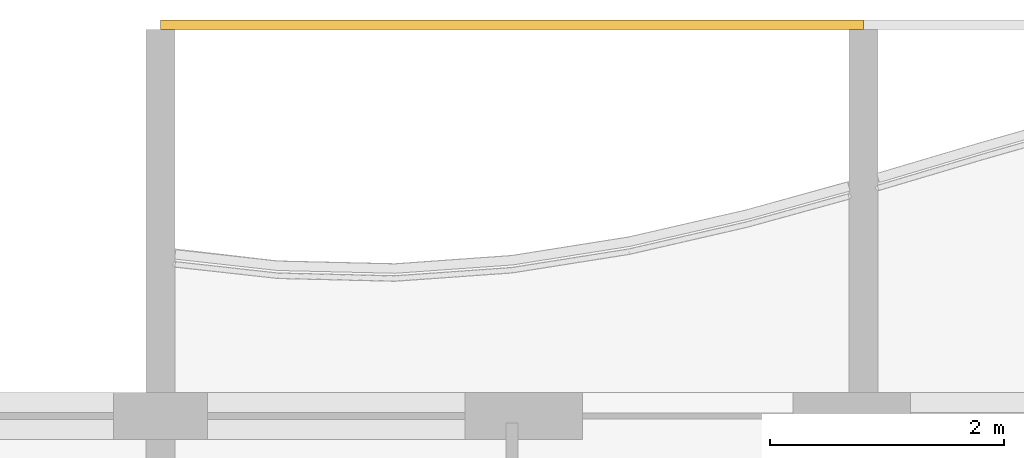
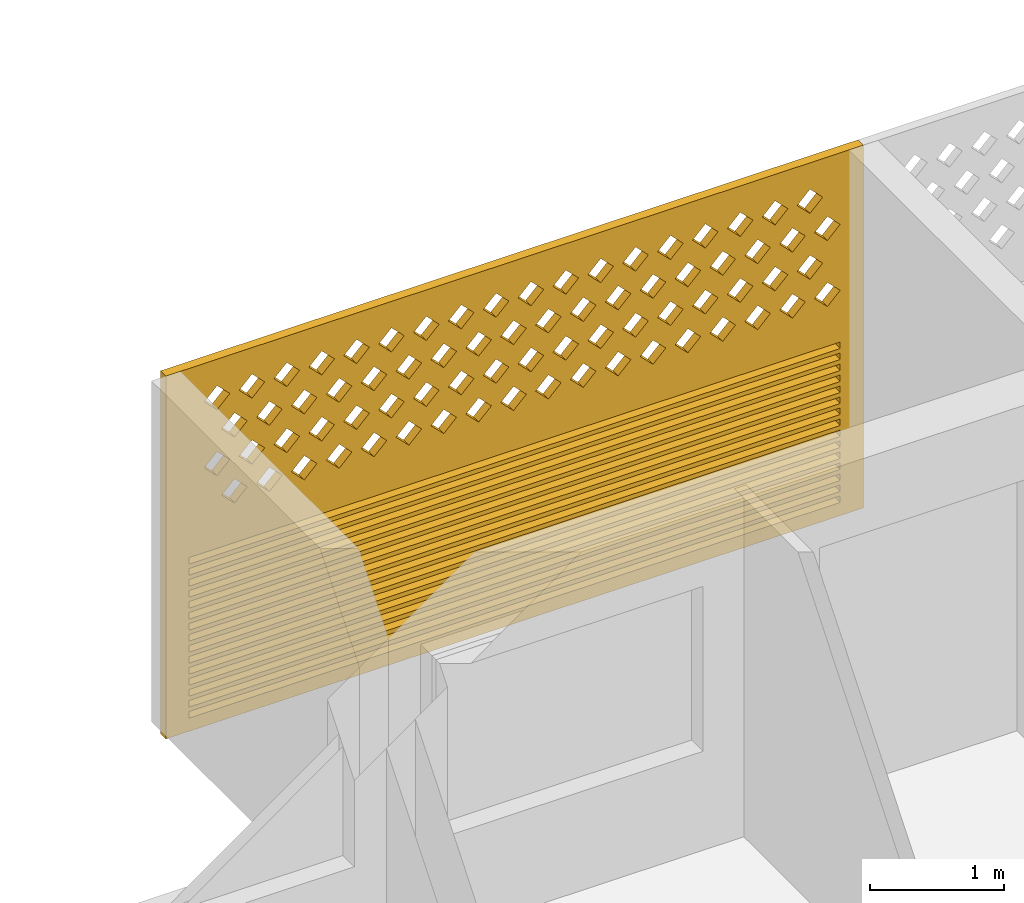
# One storey, part 25 of 29: 1 covering.
"""IFC4 building model written with IfcOpenShell, lengths in metres."""

from ifc_helpers import new_model, si_unit, direction, frame, origin, place, context, subcontext, project, spatial, polyline, outline, extrude, source, transform, mapped, material, material_profile, profile_set, type_object, element, save


model = new_model("IFC4")

# Units and contexts
model_context = context("Model", 3, precision=1e-05, world=origin(), true_north=direction((0.0, 1.0)))
body_context = subcontext(model_context, "Body", "Model", "MODEL_VIEW")
ifc_project = project(units=[si_unit("LENGTHUNIT", "METRE"), si_unit("AREAUNIT", "SQUARE_METRE"), si_unit("VOLUMEUNIT", "CUBIC_METRE"), si_unit("PLANEANGLEUNIT", "RADIAN"), si_unit("MASSUNIT", "GRAM", prefix="KILO")], contexts=[model_context])

# Site, building, storey
site_placement = place(None, origin())
site = spatial("IfcSite", under=ifc_project, at=site_placement, CompositionType="ELEMENT")
building_placement = place(site_placement, origin())
building = spatial("IfcBuilding", under=site, at=building_placement, Name="Poui Terraces", CompositionType="ELEMENT")
storey_placement = place(building_placement, frame((0.0, 0.0, 231.300048828125)))
storey = spatial("IfcBuildingStorey", under=building, at=storey_placement, Name="L64", CompositionType="ELEMENT", Elevation=231.300048828125)

# Covering
ifc_material = material(Name="Terracotta screen", Category="masonry")
ifc_material_profile = material_profile(ifc_material, outline(polyline([(-3.0, -1.64990234375), (3.0, -1.64990234375), (3.0, 1.64990234375), (-3.0, 1.64990234375), (-3.0, -1.64990234375)]), holes=[polyline([(-2.800048828125, 0.39990234375), (-2.68994140625, 0.2900390625), (-2.580078125, 0.39990234375), (-2.68994140625, 0.510009765625), (-2.800048828125, 0.39990234375)]), polyline([(-2.5, 0.39990234375), (-2.389892578125, 0.2900390625), (-2.280029296875, 0.39990234375), (-2.389892578125, 0.510009765625), (-2.5, 0.39990234375)]), polyline([(-2.199951171875, 0.39990234375), (-2.090087890625, 0.2900390625), (-1.97998046875, 0.39990234375), (-2.090087890625, 0.510009765625), (-2.199951171875, 0.39990234375)]), polyline([(-1.89990234375, 0.39990234375), (-1.7900390625, 0.2900390625), (-1.679931640625, 0.39990234375), (-1.7900390625, 0.510009765625), (-1.89990234375, 0.39990234375)]), polyline([(-1.60009765625, 0.39990234375), (-1.489990234375, 0.2900390625), (-1.3798828125, 0.39990234375), (-1.489990234375, 0.510009765625), (-1.60009765625, 0.39990234375)]), polyline([(-1.300048828125, 0.39990234375), (-1.18994140625, 0.2900390625), (-1.080078125, 0.39990234375), (-1.18994140625, 0.510009765625), (-1.300048828125, 0.39990234375)]), polyline([(-1.0, 0.39990234375), (-0.889892578125, 0.2900390625), (-0.780029296875, 0.39990234375), (-0.889892578125, 0.510009765625), (-1.0, 0.39990234375)]), polyline([(-0.699951171875, 0.39990234375), (-0.590087890625, 0.2900390625), (-0.47998046875, 0.39990234375), (-0.590087890625, 0.510009765625), (-0.699951171875, 0.39990234375)]), polyline([(-0.39990234375, 0.39990234375), (-0.2900390625, 0.2900390625), (-0.179931640625, 0.39990234375), (-0.2900390625, 0.510009765625), (-0.39990234375, 0.39990234375)]), polyline([(-0.10009765625, 0.39990234375), (0.010009765625, 0.2900390625), (0.1201171875, 0.39990234375), (0.010009765625, 0.510009765625), (-0.10009765625, 0.39990234375)]), polyline([(0.199951171875, 0.39990234375), (0.31005859375, 0.2900390625), (0.419921875, 0.39990234375), (0.31005859375, 0.510009765625), (0.199951171875, 0.39990234375)]), polyline([(0.5, 0.39990234375), (0.610107421875, 0.2900390625), (0.719970703125, 0.39990234375), (0.610107421875, 0.510009765625), (0.5, 0.39990234375)]), polyline([(0.800048828125, 0.39990234375), (0.909912109375, 0.2900390625), (1.02001953125, 0.39990234375), (0.909912109375, 0.510009765625), (0.800048828125, 0.39990234375)]), polyline([(1.10009765625, 0.39990234375), (1.2099609375, 0.2900390625), (1.320068359375, 0.39990234375), (1.2099609375, 0.510009765625), (1.10009765625, 0.39990234375)]), polyline([(1.39990234375, 0.39990234375), (1.510009765625, 0.2900390625), (1.6201171875, 0.39990234375), (1.510009765625, 0.510009765625), (1.39990234375, 0.39990234375)]), polyline([(1.699951171875, 0.39990234375), (1.81005859375, 0.2900390625), (1.919921875, 0.39990234375), (1.81005859375, 0.510009765625), (1.699951171875, 0.39990234375)]), polyline([(2.0, 0.39990234375), (2.110107421875, 0.2900390625), (2.219970703125, 0.39990234375), (2.110107421875, 0.510009765625), (2.0, 0.39990234375)]), polyline([(2.300048828125, 0.39990234375), (2.409912109375, 0.2900390625), (2.52001953125, 0.39990234375), (2.409912109375, 0.510009765625), (2.300048828125, 0.39990234375)]), polyline([(-2.64990234375, 0.699951171875), (-2.5400390625, 0.590087890625), (-2.429931640625, 0.699951171875), (-2.5400390625, 0.81005859375), (-2.64990234375, 0.699951171875)]), polyline([(-2.35009765625, 0.699951171875), (-2.239990234375, 0.590087890625), (-2.1298828125, 0.699951171875), (-2.239990234375, 0.81005859375), (-2.35009765625, 0.699951171875)]), polyline([(-2.050048828125, 0.699951171875), (-1.93994140625, 0.590087890625), (-1.830078125, 0.699951171875), (-1.93994140625, 0.81005859375), (-2.050048828125, 0.699951171875)]), polyline([(-1.75, 0.699951171875), (-1.639892578125, 0.590087890625), (-1.530029296875, 0.699951171875), (-1.639892578125, 0.81005859375), (-1.75, 0.699951171875)]), polyline([(-1.449951171875, 0.699951171875), (-1.340087890625, 0.590087890625), (-1.22998046875, 0.699951171875), (-1.340087890625, 0.81005859375), (-1.449951171875, 0.699951171875)]), polyline([(-1.14990234375, 0.699951171875), (-1.0400390625, 0.590087890625), (-0.929931640625, 0.699951171875), (-1.0400390625, 0.81005859375), (-1.14990234375, 0.699951171875)]), polyline([(-0.85009765625, 0.699951171875), (-0.739990234375, 0.590087890625), (-0.6298828125, 0.699951171875), (-0.739990234375, 0.81005859375), (-0.85009765625, 0.699951171875)]), polyline([(-0.550048828125, 0.699951171875), (-0.43994140625, 0.590087890625), (-0.330078125, 0.699951171875), (-0.43994140625, 0.81005859375), (-0.550048828125, 0.699951171875)]), polyline([(-0.25, 0.699951171875), (-0.139892578125, 0.590087890625), (-0.030029296875, 0.699951171875), (-0.139892578125, 0.81005859375), (-0.25, 0.699951171875)]), polyline([(0.050048828125, 0.699951171875), (0.159912109375, 0.590087890625), (0.27001953125, 0.699951171875), (0.159912109375, 0.81005859375), (0.050048828125, 0.699951171875)]), polyline([(0.35009765625, 0.699951171875), (0.4599609375, 0.590087890625), (0.570068359375, 0.699951171875), (0.4599609375, 0.81005859375), (0.35009765625, 0.699951171875)]), polyline([(0.64990234375, 0.699951171875), (0.760009765625, 0.590087890625), (0.8701171875, 0.699951171875), (0.760009765625, 0.81005859375), (0.64990234375, 0.699951171875)]), polyline([(0.949951171875, 0.699951171875), (1.06005859375, 0.590087890625), (1.169921875, 0.699951171875), (1.06005859375, 0.81005859375), (0.949951171875, 0.699951171875)]), polyline([(1.25, 0.699951171875), (1.360107421875, 0.590087890625), (1.469970703125, 0.699951171875), (1.360107421875, 0.81005859375), (1.25, 0.699951171875)]), polyline([(1.550048828125, 0.699951171875), (1.659912109375, 0.590087890625), (1.77001953125, 0.699951171875), (1.659912109375, 0.81005859375), (1.550048828125, 0.699951171875)]), polyline([(1.85009765625, 0.699951171875), (1.9599609375, 0.590087890625), (2.070068359375, 0.699951171875), (1.9599609375, 0.81005859375), (1.85009765625, 0.699951171875)]), polyline([(2.14990234375, 0.699951171875), (2.260009765625, 0.590087890625), (2.3701171875, 0.699951171875), (2.260009765625, 0.81005859375), (2.14990234375, 0.699951171875)]), polyline([(2.449951171875, 0.699951171875), (2.56005859375, 0.590087890625), (2.669921875, 0.699951171875), (2.56005859375, 0.81005859375), (2.449951171875, 0.699951171875)]), polyline([(-2.800048828125, 1.0), (-2.68994140625, 0.889892578125), (-2.580078125, 1.0), (-2.68994140625, 1.110107421875), (-2.800048828125, 1.0)]), polyline([(-2.5, 1.0), (-2.389892578125, 0.889892578125), (-2.280029296875, 1.0), (-2.389892578125, 1.110107421875), (-2.5, 1.0)]), polyline([(-2.199951171875, 1.0), (-2.090087890625, 0.889892578125), (-1.97998046875, 1.0), (-2.090087890625, 1.110107421875), (-2.199951171875, 1.0)]), polyline([(-1.89990234375, 1.0), (-1.7900390625, 0.889892578125), (-1.679931640625, 1.0), (-1.7900390625, 1.110107421875), (-1.89990234375, 1.0)]), polyline([(-1.60009765625, 1.0), (-1.489990234375, 0.889892578125), (-1.3798828125, 1.0), (-1.489990234375, 1.110107421875), (-1.60009765625, 1.0)]), polyline([(-1.300048828125, 1.0), (-1.18994140625, 0.889892578125), (-1.080078125, 1.0), (-1.18994140625, 1.110107421875), (-1.300048828125, 1.0)]), polyline([(-1.0, 1.0), (-0.889892578125, 0.889892578125), (-0.780029296875, 1.0), (-0.889892578125, 1.110107421875), (-1.0, 1.0)]), polyline([(-0.699951171875, 1.0), (-0.590087890625, 0.889892578125), (-0.47998046875, 1.0), (-0.590087890625, 1.110107421875), (-0.699951171875, 1.0)]), polyline([(-0.39990234375, 1.0), (-0.2900390625, 0.889892578125), (-0.179931640625, 1.0), (-0.2900390625, 1.110107421875), (-0.39990234375, 1.0)]), polyline([(-0.10009765625, 1.0), (0.010009765625, 0.889892578125), (0.1201171875, 1.0), (0.010009765625, 1.110107421875), (-0.10009765625, 1.0)]), polyline([(0.199951171875, 1.0), (0.31005859375, 0.889892578125), (0.419921875, 1.0), (0.31005859375, 1.110107421875), (0.199951171875, 1.0)]), polyline([(0.5, 1.0), (0.610107421875, 0.889892578125), (0.719970703125, 1.0), (0.610107421875, 1.110107421875), (0.5, 1.0)]), polyline([(0.800048828125, 1.0), (0.909912109375, 0.889892578125), (1.02001953125, 1.0), (0.909912109375, 1.110107421875), (0.800048828125, 1.0)]), polyline([(1.10009765625, 1.0), (1.2099609375, 0.889892578125), (1.320068359375, 1.0), (1.2099609375, 1.110107421875), (1.10009765625, 1.0)]), polyline([(1.39990234375, 1.0), (1.510009765625, 0.889892578125), (1.6201171875, 1.0), (1.510009765625, 1.110107421875), (1.39990234375, 1.0)]), polyline([(1.699951171875, 1.0), (1.81005859375, 0.889892578125), (1.919921875, 1.0), (1.81005859375, 1.110107421875), (1.699951171875, 1.0)]), polyline([(2.0, 1.0), (2.110107421875, 0.889892578125), (2.219970703125, 1.0), (2.110107421875, 1.110107421875), (2.0, 1.0)]), polyline([(2.300048828125, 1.0), (2.409912109375, 0.889892578125), (2.52001953125, 1.0), (2.409912109375, 1.110107421875), (2.300048828125, 1.0)]), polyline([(-2.64990234375, 1.300048828125), (-2.5400390625, 1.18994140625), (-2.429931640625, 1.300048828125), (-2.5400390625, 1.409912109375), (-2.64990234375, 1.300048828125)]), polyline([(-2.35009765625, 1.300048828125), (-2.239990234375, 1.18994140625), (-2.1298828125, 1.300048828125), (-2.239990234375, 1.409912109375), (-2.35009765625, 1.300048828125)]), polyline([(-2.050048828125, 1.300048828125), (-1.93994140625, 1.18994140625), (-1.830078125, 1.300048828125), (-1.93994140625, 1.409912109375), (-2.050048828125, 1.300048828125)]), polyline([(-1.75, 1.300048828125), (-1.639892578125, 1.18994140625), (-1.530029296875, 1.300048828125), (-1.639892578125, 1.409912109375), (-1.75, 1.300048828125)]), polyline([(-1.449951171875, 1.300048828125), (-1.340087890625, 1.18994140625), (-1.22998046875, 1.300048828125), (-1.340087890625, 1.409912109375), (-1.449951171875, 1.300048828125)]), polyline([(-1.14990234375, 1.300048828125), (-1.0400390625, 1.18994140625), (-0.929931640625, 1.300048828125), (-1.0400390625, 1.409912109375), (-1.14990234375, 1.300048828125)]), polyline([(-0.85009765625, 1.300048828125), (-0.739990234375, 1.18994140625), (-0.6298828125, 1.300048828125), (-0.739990234375, 1.409912109375), (-0.85009765625, 1.300048828125)]), polyline([(-0.550048828125, 1.300048828125), (-0.43994140625, 1.18994140625), (-0.330078125, 1.300048828125), (-0.43994140625, 1.409912109375), (-0.550048828125, 1.300048828125)]), polyline([(-0.25, 1.300048828125), (-0.139892578125, 1.18994140625), (-0.030029296875, 1.300048828125), (-0.139892578125, 1.409912109375), (-0.25, 1.300048828125)]), polyline([(0.050048828125, 1.300048828125), (0.159912109375, 1.18994140625), (0.27001953125, 1.300048828125), (0.159912109375, 1.409912109375), (0.050048828125, 1.300048828125)]), polyline([(0.35009765625, 1.300048828125), (0.4599609375, 1.18994140625), (0.570068359375, 1.300048828125), (0.4599609375, 1.409912109375), (0.35009765625, 1.300048828125)]), polyline([(0.64990234375, 1.300048828125), (0.760009765625, 1.18994140625), (0.8701171875, 1.300048828125), (0.760009765625, 1.409912109375), (0.64990234375, 1.300048828125)]), polyline([(0.949951171875, 1.300048828125), (1.06005859375, 1.18994140625), (1.169921875, 1.300048828125), (1.06005859375, 1.409912109375), (0.949951171875, 1.300048828125)]), polyline([(1.25, 1.300048828125), (1.360107421875, 1.18994140625), (1.469970703125, 1.300048828125), (1.360107421875, 1.409912109375), (1.25, 1.300048828125)]), polyline([(1.550048828125, 1.300048828125), (1.659912109375, 1.18994140625), (1.77001953125, 1.300048828125), (1.659912109375, 1.409912109375), (1.550048828125, 1.300048828125)]), polyline([(1.85009765625, 1.300048828125), (1.9599609375, 1.18994140625), (2.070068359375, 1.300048828125), (1.9599609375, 1.409912109375), (1.85009765625, 1.300048828125)]), polyline([(2.14990234375, 1.300048828125), (2.260009765625, 1.18994140625), (2.3701171875, 1.300048828125), (2.260009765625, 1.409912109375), (2.14990234375, 1.300048828125)]), polyline([(2.449951171875, 1.300048828125), (2.56005859375, 1.18994140625), (2.669921875, 1.300048828125), (2.56005859375, 1.409912109375), (2.449951171875, 1.300048828125)]), polyline([(-2.800048828125, -1.530029296875), (2.800048828125, -1.530029296875), (2.800048828125, -1.469970703125), (-2.800048828125, -1.469970703125), (-2.800048828125, -1.530029296875)]), polyline([(-2.800048828125, -1.429931640625), (2.800048828125, -1.429931640625), (2.800048828125, -1.3701171875), (-2.800048828125, -1.3701171875), (-2.800048828125, -1.429931640625)]), polyline([(-2.800048828125, -1.330078125), (2.800048828125, -1.330078125), (2.800048828125, -1.27001953125), (-2.800048828125, -1.27001953125), (-2.800048828125, -1.330078125)]), polyline([(-2.800048828125, -1.22998046875), (2.800048828125, -1.22998046875), (2.800048828125, -1.169921875), (-2.800048828125, -1.169921875), (-2.800048828125, -1.22998046875)]), polyline([(-2.800048828125, -1.1298828125), (2.800048828125, -1.1298828125), (2.800048828125, -1.070068359375), (-2.800048828125, -1.070068359375), (-2.800048828125, -1.1298828125)]), polyline([(-2.800048828125, -1.030029296875), (2.800048828125, -1.030029296875), (2.800048828125, -0.969970703125), (-2.800048828125, -0.969970703125), (-2.800048828125, -1.030029296875)]), polyline([(-2.800048828125, -0.929931640625), (2.800048828125, -0.929931640625), (2.800048828125, -0.8701171875), (-2.800048828125, -0.8701171875), (-2.800048828125, -0.929931640625)]), polyline([(-2.800048828125, -0.830078125), (2.800048828125, -0.830078125), (2.800048828125, -0.77001953125), (-2.800048828125, -0.77001953125), (-2.800048828125, -0.830078125)]), polyline([(-2.800048828125, -0.72998046875), (2.800048828125, -0.72998046875), (2.800048828125, -0.669921875), (-2.800048828125, -0.669921875), (-2.800048828125, -0.72998046875)]), polyline([(-2.800048828125, -0.6298828125), (2.800048828125, -0.6298828125), (2.800048828125, -0.570068359375), (-2.800048828125, -0.570068359375), (-2.800048828125, -0.6298828125)]), polyline([(-2.800048828125, -0.530029296875), (2.800048828125, -0.530029296875), (2.800048828125, -0.469970703125), (-2.800048828125, -0.469970703125), (-2.800048828125, -0.530029296875)]), polyline([(-2.800048828125, -0.429931640625), (2.800048828125, -0.429931640625), (2.800048828125, -0.3701171875), (-2.800048828125, -0.3701171875), (-2.800048828125, -0.429931640625)]), polyline([(-2.800048828125, -0.330078125), (2.800048828125, -0.330078125), (2.800048828125, -0.27001953125), (-2.800048828125, -0.27001953125), (-2.800048828125, -0.330078125)]), polyline([(-2.800048828125, -0.22998046875), (2.800048828125, -0.22998046875), (2.800048828125, -0.169921875), (-2.800048828125, -0.169921875), (-2.800048828125, -0.22998046875)]), polyline([(-2.800048828125, -0.1298828125), (2.800048828125, -0.1298828125), (2.800048828125, -0.070068359375), (-2.800048828125, -0.070068359375), (-2.800048828125, -0.1298828125)])]), Name="TERRACOTTA SCREEN AND JALOUSIE LOUVRE 6000X3300")
ifc_profile_set = profile_set([ifc_material_profile], Name="Terracotta screen")
covering_type = type_object("IfcCoveringType", Name="TERRACOTTA SCREEN AND JALOUSIE LOUVRE 6000X3300", PredefinedType="CLADDING", material=ifc_profile_set)
shared_shape = source(origin(), body_context, "Body", "SweptSolid", [
    extrude(outline(polyline([(-3.0, -1.64990234375), (3.0, -1.64990234375), (3.0, 1.64990234375), (-3.0, 1.64990234375), (-3.0, -1.64990234375)]), holes=[polyline([(-2.800048828125, 0.39990234375), (-2.68994140625, 0.2900390625), (-2.580078125, 0.39990234375), (-2.68994140625, 0.510009765625), (-2.800048828125, 0.39990234375)]), polyline([(-2.5, 0.39990234375), (-2.389892578125, 0.2900390625), (-2.280029296875, 0.39990234375), (-2.389892578125, 0.510009765625), (-2.5, 0.39990234375)]), polyline([(-2.199951171875, 0.39990234375), (-2.090087890625, 0.2900390625), (-1.97998046875, 0.39990234375), (-2.090087890625, 0.510009765625), (-2.199951171875, 0.39990234375)]), polyline([(-1.89990234375, 0.39990234375), (-1.7900390625, 0.2900390625), (-1.679931640625, 0.39990234375), (-1.7900390625, 0.510009765625), (-1.89990234375, 0.39990234375)]), polyline([(-1.60009765625, 0.39990234375), (-1.489990234375, 0.2900390625), (-1.3798828125, 0.39990234375), (-1.489990234375, 0.510009765625), (-1.60009765625, 0.39990234375)]), polyline([(-1.300048828125, 0.39990234375), (-1.18994140625, 0.2900390625), (-1.080078125, 0.39990234375), (-1.18994140625, 0.510009765625), (-1.300048828125, 0.39990234375)]), polyline([(-1.0, 0.39990234375), (-0.889892578125, 0.2900390625), (-0.780029296875, 0.39990234375), (-0.889892578125, 0.510009765625), (-1.0, 0.39990234375)]), polyline([(-0.699951171875, 0.39990234375), (-0.590087890625, 0.2900390625), (-0.47998046875, 0.39990234375), (-0.590087890625, 0.510009765625), (-0.699951171875, 0.39990234375)]), polyline([(-0.39990234375, 0.39990234375), (-0.2900390625, 0.2900390625), (-0.179931640625, 0.39990234375), (-0.2900390625, 0.510009765625), (-0.39990234375, 0.39990234375)]), polyline([(-0.10009765625, 0.39990234375), (0.010009765625, 0.2900390625), (0.1201171875, 0.39990234375), (0.010009765625, 0.510009765625), (-0.10009765625, 0.39990234375)]), polyline([(0.199951171875, 0.39990234375), (0.31005859375, 0.2900390625), (0.419921875, 0.39990234375), (0.31005859375, 0.510009765625), (0.199951171875, 0.39990234375)]), polyline([(0.5, 0.39990234375), (0.610107421875, 0.2900390625), (0.719970703125, 0.39990234375), (0.610107421875, 0.510009765625), (0.5, 0.39990234375)]), polyline([(0.800048828125, 0.39990234375), (0.909912109375, 0.2900390625), (1.02001953125, 0.39990234375), (0.909912109375, 0.510009765625), (0.800048828125, 0.39990234375)]), polyline([(1.10009765625, 0.39990234375), (1.2099609375, 0.2900390625), (1.320068359375, 0.39990234375), (1.2099609375, 0.510009765625), (1.10009765625, 0.39990234375)]), polyline([(1.39990234375, 0.39990234375), (1.510009765625, 0.2900390625), (1.6201171875, 0.39990234375), (1.510009765625, 0.510009765625), (1.39990234375, 0.39990234375)]), polyline([(1.699951171875, 0.39990234375), (1.81005859375, 0.2900390625), (1.919921875, 0.39990234375), (1.81005859375, 0.510009765625), (1.699951171875, 0.39990234375)]), polyline([(2.0, 0.39990234375), (2.110107421875, 0.2900390625), (2.219970703125, 0.39990234375), (2.110107421875, 0.510009765625), (2.0, 0.39990234375)]), polyline([(2.300048828125, 0.39990234375), (2.409912109375, 0.2900390625), (2.52001953125, 0.39990234375), (2.409912109375, 0.510009765625), (2.300048828125, 0.39990234375)]), polyline([(-2.64990234375, 0.699951171875), (-2.5400390625, 0.590087890625), (-2.429931640625, 0.699951171875), (-2.5400390625, 0.81005859375), (-2.64990234375, 0.699951171875)]), polyline([(-2.35009765625, 0.699951171875), (-2.239990234375, 0.590087890625), (-2.1298828125, 0.699951171875), (-2.239990234375, 0.81005859375), (-2.35009765625, 0.699951171875)]), polyline([(-2.050048828125, 0.699951171875), (-1.93994140625, 0.590087890625), (-1.830078125, 0.699951171875), (-1.93994140625, 0.81005859375), (-2.050048828125, 0.699951171875)]), polyline([(-1.75, 0.699951171875), (-1.639892578125, 0.590087890625), (-1.530029296875, 0.699951171875), (-1.639892578125, 0.81005859375), (-1.75, 0.699951171875)]), polyline([(-1.449951171875, 0.699951171875), (-1.340087890625, 0.590087890625), (-1.22998046875, 0.699951171875), (-1.340087890625, 0.81005859375), (-1.449951171875, 0.699951171875)]), polyline([(-1.14990234375, 0.699951171875), (-1.0400390625, 0.590087890625), (-0.929931640625, 0.699951171875), (-1.0400390625, 0.81005859375), (-1.14990234375, 0.699951171875)]), polyline([(-0.85009765625, 0.699951171875), (-0.739990234375, 0.590087890625), (-0.6298828125, 0.699951171875), (-0.739990234375, 0.81005859375), (-0.85009765625, 0.699951171875)]), polyline([(-0.550048828125, 0.699951171875), (-0.43994140625, 0.590087890625), (-0.330078125, 0.699951171875), (-0.43994140625, 0.81005859375), (-0.550048828125, 0.699951171875)]), polyline([(-0.25, 0.699951171875), (-0.139892578125, 0.590087890625), (-0.030029296875, 0.699951171875), (-0.139892578125, 0.81005859375), (-0.25, 0.699951171875)]), polyline([(0.050048828125, 0.699951171875), (0.159912109375, 0.590087890625), (0.27001953125, 0.699951171875), (0.159912109375, 0.81005859375), (0.050048828125, 0.699951171875)]), polyline([(0.35009765625, 0.699951171875), (0.4599609375, 0.590087890625), (0.570068359375, 0.699951171875), (0.4599609375, 0.81005859375), (0.35009765625, 0.699951171875)]), polyline([(0.64990234375, 0.699951171875), (0.760009765625, 0.590087890625), (0.8701171875, 0.699951171875), (0.760009765625, 0.81005859375), (0.64990234375, 0.699951171875)]), polyline([(0.949951171875, 0.699951171875), (1.06005859375, 0.590087890625), (1.169921875, 0.699951171875), (1.06005859375, 0.81005859375), (0.949951171875, 0.699951171875)]), polyline([(1.25, 0.699951171875), (1.360107421875, 0.590087890625), (1.469970703125, 0.699951171875), (1.360107421875, 0.81005859375), (1.25, 0.699951171875)]), polyline([(1.550048828125, 0.699951171875), (1.659912109375, 0.590087890625), (1.77001953125, 0.699951171875), (1.659912109375, 0.81005859375), (1.550048828125, 0.699951171875)]), polyline([(1.85009765625, 0.699951171875), (1.9599609375, 0.590087890625), (2.070068359375, 0.699951171875), (1.9599609375, 0.81005859375), (1.85009765625, 0.699951171875)]), polyline([(2.14990234375, 0.699951171875), (2.260009765625, 0.590087890625), (2.3701171875, 0.699951171875), (2.260009765625, 0.81005859375), (2.14990234375, 0.699951171875)]), polyline([(2.449951171875, 0.699951171875), (2.56005859375, 0.590087890625), (2.669921875, 0.699951171875), (2.56005859375, 0.81005859375), (2.449951171875, 0.699951171875)]), polyline([(-2.800048828125, 1.0), (-2.68994140625, 0.889892578125), (-2.580078125, 1.0), (-2.68994140625, 1.110107421875), (-2.800048828125, 1.0)]), polyline([(-2.5, 1.0), (-2.389892578125, 0.889892578125), (-2.280029296875, 1.0), (-2.389892578125, 1.110107421875), (-2.5, 1.0)]), polyline([(-2.199951171875, 1.0), (-2.090087890625, 0.889892578125), (-1.97998046875, 1.0), (-2.090087890625, 1.110107421875), (-2.199951171875, 1.0)]), polyline([(-1.89990234375, 1.0), (-1.7900390625, 0.889892578125), (-1.679931640625, 1.0), (-1.7900390625, 1.110107421875), (-1.89990234375, 1.0)]), polyline([(-1.60009765625, 1.0), (-1.489990234375, 0.889892578125), (-1.3798828125, 1.0), (-1.489990234375, 1.110107421875), (-1.60009765625, 1.0)]), polyline([(-1.300048828125, 1.0), (-1.18994140625, 0.889892578125), (-1.080078125, 1.0), (-1.18994140625, 1.110107421875), (-1.300048828125, 1.0)]), polyline([(-1.0, 1.0), (-0.889892578125, 0.889892578125), (-0.780029296875, 1.0), (-0.889892578125, 1.110107421875), (-1.0, 1.0)]), polyline([(-0.699951171875, 1.0), (-0.590087890625, 0.889892578125), (-0.47998046875, 1.0), (-0.590087890625, 1.110107421875), (-0.699951171875, 1.0)]), polyline([(-0.39990234375, 1.0), (-0.2900390625, 0.889892578125), (-0.179931640625, 1.0), (-0.2900390625, 1.110107421875), (-0.39990234375, 1.0)]), polyline([(-0.10009765625, 1.0), (0.010009765625, 0.889892578125), (0.1201171875, 1.0), (0.010009765625, 1.110107421875), (-0.10009765625, 1.0)]), polyline([(0.199951171875, 1.0), (0.31005859375, 0.889892578125), (0.419921875, 1.0), (0.31005859375, 1.110107421875), (0.199951171875, 1.0)]), polyline([(0.5, 1.0), (0.610107421875, 0.889892578125), (0.719970703125, 1.0), (0.610107421875, 1.110107421875), (0.5, 1.0)]), polyline([(0.800048828125, 1.0), (0.909912109375, 0.889892578125), (1.02001953125, 1.0), (0.909912109375, 1.110107421875), (0.800048828125, 1.0)]), polyline([(1.10009765625, 1.0), (1.2099609375, 0.889892578125), (1.320068359375, 1.0), (1.2099609375, 1.110107421875), (1.10009765625, 1.0)]), polyline([(1.39990234375, 1.0), (1.510009765625, 0.889892578125), (1.6201171875, 1.0), (1.510009765625, 1.110107421875), (1.39990234375, 1.0)]), polyline([(1.699951171875, 1.0), (1.81005859375, 0.889892578125), (1.919921875, 1.0), (1.81005859375, 1.110107421875), (1.699951171875, 1.0)]), polyline([(2.0, 1.0), (2.110107421875, 0.889892578125), (2.219970703125, 1.0), (2.110107421875, 1.110107421875), (2.0, 1.0)]), polyline([(2.300048828125, 1.0), (2.409912109375, 0.889892578125), (2.52001953125, 1.0), (2.409912109375, 1.110107421875), (2.300048828125, 1.0)]), polyline([(-2.64990234375, 1.300048828125), (-2.5400390625, 1.18994140625), (-2.429931640625, 1.300048828125), (-2.5400390625, 1.409912109375), (-2.64990234375, 1.300048828125)]), polyline([(-2.35009765625, 1.300048828125), (-2.239990234375, 1.18994140625), (-2.1298828125, 1.300048828125), (-2.239990234375, 1.409912109375), (-2.35009765625, 1.300048828125)]), polyline([(-2.050048828125, 1.300048828125), (-1.93994140625, 1.18994140625), (-1.830078125, 1.300048828125), (-1.93994140625, 1.409912109375), (-2.050048828125, 1.300048828125)]), polyline([(-1.75, 1.300048828125), (-1.639892578125, 1.18994140625), (-1.530029296875, 1.300048828125), (-1.639892578125, 1.409912109375), (-1.75, 1.300048828125)]), polyline([(-1.449951171875, 1.300048828125), (-1.340087890625, 1.18994140625), (-1.22998046875, 1.300048828125), (-1.340087890625, 1.409912109375), (-1.449951171875, 1.300048828125)]), polyline([(-1.14990234375, 1.300048828125), (-1.0400390625, 1.18994140625), (-0.929931640625, 1.300048828125), (-1.0400390625, 1.409912109375), (-1.14990234375, 1.300048828125)]), polyline([(-0.85009765625, 1.300048828125), (-0.739990234375, 1.18994140625), (-0.6298828125, 1.300048828125), (-0.739990234375, 1.409912109375), (-0.85009765625, 1.300048828125)]), polyline([(-0.550048828125, 1.300048828125), (-0.43994140625, 1.18994140625), (-0.330078125, 1.300048828125), (-0.43994140625, 1.409912109375), (-0.550048828125, 1.300048828125)]), polyline([(-0.25, 1.300048828125), (-0.139892578125, 1.18994140625), (-0.030029296875, 1.300048828125), (-0.139892578125, 1.409912109375), (-0.25, 1.300048828125)]), polyline([(0.050048828125, 1.300048828125), (0.159912109375, 1.18994140625), (0.27001953125, 1.300048828125), (0.159912109375, 1.409912109375), (0.050048828125, 1.300048828125)]), polyline([(0.35009765625, 1.300048828125), (0.4599609375, 1.18994140625), (0.570068359375, 1.300048828125), (0.4599609375, 1.409912109375), (0.35009765625, 1.300048828125)]), polyline([(0.64990234375, 1.300048828125), (0.760009765625, 1.18994140625), (0.8701171875, 1.300048828125), (0.760009765625, 1.409912109375), (0.64990234375, 1.300048828125)]), polyline([(0.949951171875, 1.300048828125), (1.06005859375, 1.18994140625), (1.169921875, 1.300048828125), (1.06005859375, 1.409912109375), (0.949951171875, 1.300048828125)]), polyline([(1.25, 1.300048828125), (1.360107421875, 1.18994140625), (1.469970703125, 1.300048828125), (1.360107421875, 1.409912109375), (1.25, 1.300048828125)]), polyline([(1.550048828125, 1.300048828125), (1.659912109375, 1.18994140625), (1.77001953125, 1.300048828125), (1.659912109375, 1.409912109375), (1.550048828125, 1.300048828125)]), polyline([(1.85009765625, 1.300048828125), (1.9599609375, 1.18994140625), (2.070068359375, 1.300048828125), (1.9599609375, 1.409912109375), (1.85009765625, 1.300048828125)]), polyline([(2.14990234375, 1.300048828125), (2.260009765625, 1.18994140625), (2.3701171875, 1.300048828125), (2.260009765625, 1.409912109375), (2.14990234375, 1.300048828125)]), polyline([(2.449951171875, 1.300048828125), (2.56005859375, 1.18994140625), (2.669921875, 1.300048828125), (2.56005859375, 1.409912109375), (2.449951171875, 1.300048828125)]), polyline([(-2.800048828125, -1.530029296875), (2.800048828125, -1.530029296875), (2.800048828125, -1.469970703125), (-2.800048828125, -1.469970703125), (-2.800048828125, -1.530029296875)]), polyline([(-2.800048828125, -1.429931640625), (2.800048828125, -1.429931640625), (2.800048828125, -1.3701171875), (-2.800048828125, -1.3701171875), (-2.800048828125, -1.429931640625)]), polyline([(-2.800048828125, -1.330078125), (2.800048828125, -1.330078125), (2.800048828125, -1.27001953125), (-2.800048828125, -1.27001953125), (-2.800048828125, -1.330078125)]), polyline([(-2.800048828125, -1.22998046875), (2.800048828125, -1.22998046875), (2.800048828125, -1.169921875), (-2.800048828125, -1.169921875), (-2.800048828125, -1.22998046875)]), polyline([(-2.800048828125, -1.1298828125), (2.800048828125, -1.1298828125), (2.800048828125, -1.070068359375), (-2.800048828125, -1.070068359375), (-2.800048828125, -1.1298828125)]), polyline([(-2.800048828125, -1.030029296875), (2.800048828125, -1.030029296875), (2.800048828125, -0.969970703125), (-2.800048828125, -0.969970703125), (-2.800048828125, -1.030029296875)]), polyline([(-2.800048828125, -0.929931640625), (2.800048828125, -0.929931640625), (2.800048828125, -0.8701171875), (-2.800048828125, -0.8701171875), (-2.800048828125, -0.929931640625)]), polyline([(-2.800048828125, -0.830078125), (2.800048828125, -0.830078125), (2.800048828125, -0.77001953125), (-2.800048828125, -0.77001953125), (-2.800048828125, -0.830078125)]), polyline([(-2.800048828125, -0.72998046875), (2.800048828125, -0.72998046875), (2.800048828125, -0.669921875), (-2.800048828125, -0.669921875), (-2.800048828125, -0.72998046875)]), polyline([(-2.800048828125, -0.6298828125), (2.800048828125, -0.6298828125), (2.800048828125, -0.570068359375), (-2.800048828125, -0.570068359375), (-2.800048828125, -0.6298828125)]), polyline([(-2.800048828125, -0.530029296875), (2.800048828125, -0.530029296875), (2.800048828125, -0.469970703125), (-2.800048828125, -0.469970703125), (-2.800048828125, -0.530029296875)]), polyline([(-2.800048828125, -0.429931640625), (2.800048828125, -0.429931640625), (2.800048828125, -0.3701171875), (-2.800048828125, -0.3701171875), (-2.800048828125, -0.429931640625)]), polyline([(-2.800048828125, -0.330078125), (2.800048828125, -0.330078125), (2.800048828125, -0.27001953125), (-2.800048828125, -0.27001953125), (-2.800048828125, -0.330078125)]), polyline([(-2.800048828125, -0.22998046875), (2.800048828125, -0.22998046875), (2.800048828125, -0.169921875), (-2.800048828125, -0.169921875), (-2.800048828125, -0.22998046875)]), polyline([(-2.800048828125, -0.1298828125), (2.800048828125, -0.1298828125), (2.800048828125, -0.070068359375), (-2.800048828125, -0.070068359375), (-2.800048828125, -0.1298828125)])]), origin(), (0.0, 0.0, 1.0), 0.080078125),
])
covering_placement = place(storey_placement, frame((63.0, 44.5, 1.449951171875), z_axis=(0.0, 1.0, 0.0), x_axis=(-1.0, 0.0, 0.0)))
element("IfcCovering", 1, at=covering_placement, inside=storey, type_object=covering_type, Name="SOLAR SCREEN AND JALOUSIE LOUVRE", PredefinedType="CLADDING", context=body_context, shape_type="MappedRepresentation", body=[
    mapped(shared_shape, transform((0.0, 0.0, 0.0))),
])

save(model, "model.ifc")
